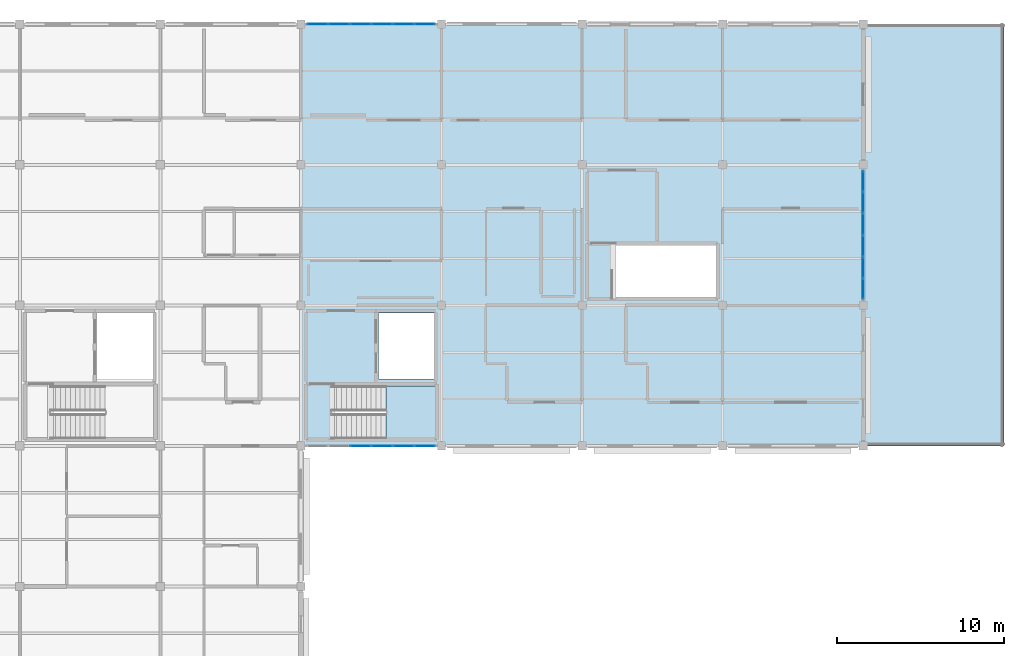
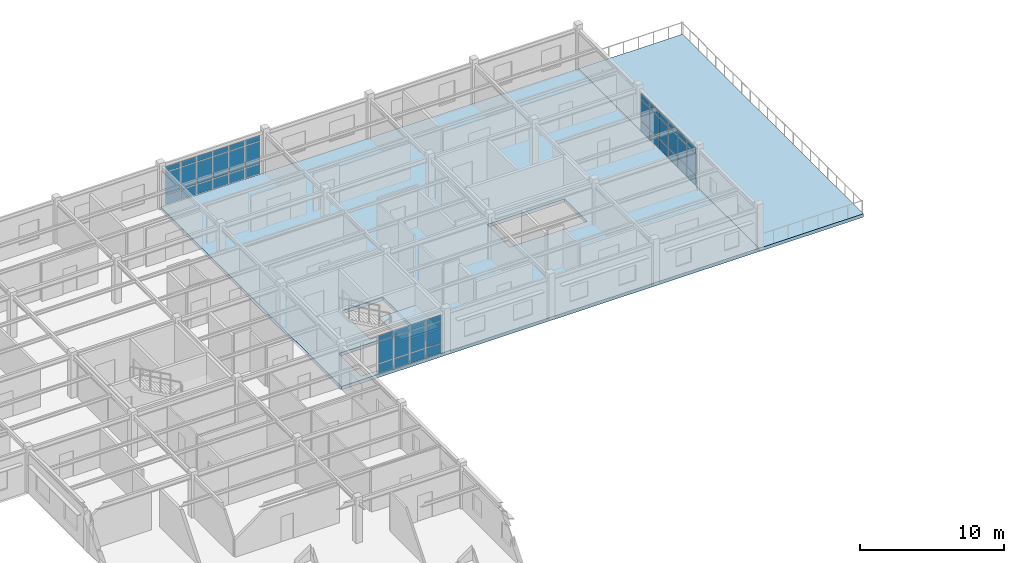
# One storey, part 31 of 53: 48 plates, 3 slabs, 4 elements without a shape of their own.
"""IFC4 building model written with IfcOpenShell, lengths in metres."""

from ifc_helpers import new_model, si_unit, direction, frame, origin, origin_2d, place, context, subcontext, project, spatial, polyline, rectangle, outline, extrude, material, layer, layer_set, type_object, element, aggregate, save


model = new_model("IFC4")

# Units and contexts
model_context = context("Model", 3, precision=1e-05, world=origin(), true_north=direction((0.0, 1.0)))
body_context = subcontext(model_context, "Body", "Model", "MODEL_VIEW")
ifc_project = project(units=[si_unit("LENGTHUNIT", "METRE"), si_unit("AREAUNIT", "SQUARE_METRE"), si_unit("VOLUMEUNIT", "CUBIC_METRE"), si_unit("PLANEANGLEUNIT", "RADIAN"), si_unit("MASSUNIT", "GRAM", prefix="KILO")], contexts=[model_context])

# Site, building, storey
site_placement = place(None, origin())
site = spatial("IfcSite", under=ifc_project, at=site_placement, CompositionType="ELEMENT")
building_placement = place(site_placement, origin())
building = spatial("IfcBuilding", under=site, at=building_placement, Name="Bramfleet General Hospital", CompositionType="ELEMENT")
storey_placement = place(building_placement, frame((0.0, 0.0, 26.39990234375)))
storey = spatial("IfcBuildingStorey", under=building, at=storey_placement, Name="L06", CompositionType="ELEMENT", Elevation=26.39990234375)

# Curtain wall, plates
ifc_material_1 = material(Name="Anodised aluminium and low-E triple glazing", Category="aluminium")
ifc_layer_1 = layer(ifc_material_1, 0.179931640625, Name="CWT-CW-01")
ifc_layer_set_1 = layer_set([ifc_layer_1], Name="Anodised aluminium and low-E triple glazing")
curtain_wall_type_1 = type_object("IfcCurtainWallType", Name="CWT-CW-01", PredefinedType="USERDEFINED", material=ifc_layer_set_1)
curtain_wall_1_placement = place(storey_placement, origin())
curtain_wall_1 = element("IfcCurtainWall", 1, at=curtain_wall_1_placement, inside=storey, type_object=curtain_wall_type_1, Name="L06 Curtain Wall 217", ObjectType="Unitised curtain wall", PredefinedType="USERDEFINED")
ifc_material_2 = material(Name="Low-E laminated safety glass", Category="glass")
ifc_layer_2 = layer(ifc_material_2, 0.028076171875, Name="CWP-GLZ-1")
ifc_layer_set_2 = layer_set([ifc_layer_2], Name="Low-E laminated safety glass")
plate_type_1 = type_object("IfcPlateType", Name="CWP-GLZ-1", PredefinedType="CURTAIN_PANEL", material=ifc_layer_set_2)
plate_1_placement = place(storey_placement, frame((125.01171875, 92.39990234375, 0.06494140625), z_axis=(0.0, 0.0, 1.0), x_axis=(-1.0, 0.0, 0.0)))
plate_1 = element("IfcPlate", 2, at=plate_1_placement, type_object=plate_type_1, Name="CW-01 panel 1.1", PredefinedType="CURTAIN_PANEL", context=body_context, shape_type="SweptSolid", body=[
    extrude(rectangle(XDim=1.186767578125, YDim=0.028076171875, at=origin_2d()), origin(), (0.0, 0.0, 1.0), 0.802490234375),
])
plate_2_placement = place(storey_placement, frame((125.01171875, 92.39990234375, 0.9326171875), z_axis=(0.0, 0.0, 1.0), x_axis=(-1.0, 0.0, 0.0)))
plate_2 = element("IfcPlate", 3, at=plate_2_placement, type_object=plate_type_1, Name="CW-01 panel 1.2", PredefinedType="CURTAIN_PANEL", context=body_context, shape_type="SweptSolid", body=[
    extrude(rectangle(XDim=1.186767578125, YDim=0.028076171875, at=origin_2d()), origin(), (0.0, 0.0, 1.0), 1.844970703125),
])
plate_3_placement = place(storey_placement, frame((125.01171875, 92.39990234375, 2.8427734375), z_axis=(0.0, 0.0, 1.0), x_axis=(-1.0, 0.0, 0.0)))
plate_3 = element("IfcPlate", 4, at=plate_3_placement, type_object=plate_type_1, Name="CW-01 panel 1.3", PredefinedType="CURTAIN_PANEL", context=body_context, shape_type="SweptSolid", body=[
    extrude(rectangle(XDim=1.186767578125, YDim=0.028076171875, at=origin_2d()), origin(), (0.0, 0.0, 1.0), 0.452392578125),
])
plate_4_placement = place(storey_placement, frame((123.737548828125, 92.39990234375, 0.06494140625), z_axis=(0.0, 0.0, 1.0), x_axis=(-1.0, 0.0, 0.0)))
plate_4 = element("IfcPlate", 5, at=plate_4_placement, type_object=plate_type_1, Name="CW-01 panel 2.1", PredefinedType="CURTAIN_PANEL", context=body_context, shape_type="SweptSolid", body=[
    extrude(rectangle(XDim=1.2216796875, YDim=0.028076171875, at=origin_2d()), origin(), (0.0, 0.0, 1.0), 0.802490234375),
])
plate_5_placement = place(storey_placement, frame((123.737548828125, 92.39990234375, 0.9326171875), z_axis=(0.0, 0.0, 1.0), x_axis=(-1.0, 0.0, 0.0)))
plate_5 = element("IfcPlate", 6, at=plate_5_placement, type_object=plate_type_1, Name="CW-01 panel 2.2", PredefinedType="CURTAIN_PANEL", context=body_context, shape_type="SweptSolid", body=[
    extrude(rectangle(XDim=1.2216796875, YDim=0.028076171875, at=origin_2d()), origin(), (0.0, 0.0, 1.0), 1.844970703125),
])
plate_6_placement = place(storey_placement, frame((123.737548828125, 92.39990234375, 2.8427734375), z_axis=(0.0, 0.0, 1.0), x_axis=(-1.0, 0.0, 0.0)))
plate_6 = element("IfcPlate", 7, at=plate_6_placement, type_object=plate_type_1, Name="CW-01 panel 2.3", PredefinedType="CURTAIN_PANEL", context=body_context, shape_type="SweptSolid", body=[
    extrude(rectangle(XDim=1.2216796875, YDim=0.028076171875, at=origin_2d()), origin(), (0.0, 0.0, 1.0), 0.452392578125),
])
plate_7_placement = place(storey_placement, frame((122.44580078125, 92.39990234375, 0.06494140625), z_axis=(0.0, 0.0, 1.0), x_axis=(-1.0, 0.0, 0.0)))
plate_7 = element("IfcPlate", 8, at=plate_7_placement, type_object=plate_type_1, Name="CW-01 panel 3.1", PredefinedType="CURTAIN_PANEL", context=body_context, shape_type="SweptSolid", body=[
    extrude(rectangle(XDim=1.2216796875, YDim=0.028076171875, at=origin_2d()), origin(), (0.0, 0.0, 1.0), 0.802490234375),
])
plate_8_placement = place(storey_placement, frame((122.44580078125, 92.39990234375, 0.9326171875), z_axis=(0.0, 0.0, 1.0), x_axis=(-1.0, 0.0, 0.0)))
plate_8 = element("IfcPlate", 9, at=plate_8_placement, type_object=plate_type_1, Name="CW-01 panel 3.2", PredefinedType="CURTAIN_PANEL", context=body_context, shape_type="SweptSolid", body=[
    extrude(rectangle(XDim=1.2216796875, YDim=0.028076171875, at=origin_2d()), origin(), (0.0, 0.0, 1.0), 1.844970703125),
])
plate_9_placement = place(storey_placement, frame((122.44580078125, 92.39990234375, 2.8427734375), z_axis=(0.0, 0.0, 1.0), x_axis=(-1.0, 0.0, 0.0)))
plate_9 = element("IfcPlate", 10, at=plate_9_placement, type_object=plate_type_1, Name="CW-01 panel 3.3", PredefinedType="CURTAIN_PANEL", context=body_context, shape_type="SweptSolid", body=[
    extrude(rectangle(XDim=1.2216796875, YDim=0.028076171875, at=origin_2d()), origin(), (0.0, 0.0, 1.0), 0.452392578125),
])
plate_10_placement = place(storey_placement, frame((121.154052734375, 92.39990234375, 0.06494140625), z_axis=(0.0, 0.0, 1.0), x_axis=(-1.0, 0.0, 0.0)))
plate_10 = element("IfcPlate", 11, at=plate_10_placement, type_object=plate_type_1, Name="CW-01 panel 4.1", PredefinedType="CURTAIN_PANEL", context=body_context, shape_type="SweptSolid", body=[
    extrude(rectangle(XDim=1.2216796875, YDim=0.028076171875, at=origin_2d()), origin(), (0.0, 0.0, 1.0), 0.802490234375),
])
plate_11_placement = place(storey_placement, frame((121.154052734375, 92.39990234375, 0.9326171875), z_axis=(0.0, 0.0, 1.0), x_axis=(-1.0, 0.0, 0.0)))
plate_11 = element("IfcPlate", 12, at=plate_11_placement, type_object=plate_type_1, Name="CW-01 panel 4.2", PredefinedType="CURTAIN_PANEL", context=body_context, shape_type="SweptSolid", body=[
    extrude(rectangle(XDim=1.2216796875, YDim=0.028076171875, at=origin_2d()), origin(), (0.0, 0.0, 1.0), 1.844970703125),
])
plate_12_placement = place(storey_placement, frame((121.154052734375, 92.39990234375, 2.8427734375), z_axis=(0.0, 0.0, 1.0), x_axis=(-1.0, 0.0, 0.0)))
plate_12 = element("IfcPlate", 13, at=plate_12_placement, type_object=plate_type_1, Name="CW-01 panel 4.3", PredefinedType="CURTAIN_PANEL", context=body_context, shape_type="SweptSolid", body=[
    extrude(rectangle(XDim=1.2216796875, YDim=0.028076171875, at=origin_2d()), origin(), (0.0, 0.0, 1.0), 0.452392578125),
])
aggregate(curtain_wall_1, [plate_1, plate_2, plate_3, plate_4, plate_5, plate_6, plate_7, plate_8, plate_9, plate_10, plate_11, plate_12])

ifc_layer_3 = layer(ifc_material_1, 0.179931640625, Name="CWT-CW-17")
ifc_layer_set_3 = layer_set([ifc_layer_3], Name="Anodised aluminium and low-E triple glazing")
curtain_wall_type_2 = type_object("IfcCurtainWallType", Name="CWT-CW-17", PredefinedType="USERDEFINED", material=ifc_layer_set_3)
curtain_wall_2_placement = place(storey_placement, origin())
curtain_wall_2 = element("IfcCurtainWall", 14, at=curtain_wall_2_placement, inside=storey, type_object=curtain_wall_type_2, Name="L06 Curtain Wall 215", ObjectType="Stick curtain wall", PredefinedType="USERDEFINED")
ifc_layer_4 = layer(ifc_material_2, 0.035888671875, Name="CWP-GLZ-3")
ifc_layer_set_4 = layer_set([ifc_layer_4], Name="Low-E laminated safety glass")
plate_type_2 = type_object("IfcPlateType", Name="CWP-GLZ-3", PredefinedType="CURTAIN_PANEL", material=ifc_layer_set_4)
plate_13_placement = place(storey_placement, frame((118.58837890625, 117.60009765625, 0.06494140625), z_axis=(0.0, 0.0, 1.0), x_axis=(1.0, 0.0, 0.0)))
plate_13 = element("IfcPlate", 15, at=plate_13_placement, type_object=plate_type_2, Name="CW-17 panel 1.1", PredefinedType="CURTAIN_PANEL", context=body_context, shape_type="SweptSolid", body=[
    extrude(rectangle(XDim=1.186767578125, YDim=0.035888671875, at=origin_2d()), origin(), (0.0, 0.0, 1.0), 0.802490234375),
])
plate_14_placement = place(storey_placement, frame((118.58837890625, 117.60009765625, 0.9326171875), z_axis=(0.0, 0.0, 1.0), x_axis=(1.0, 0.0, 0.0)))
plate_14 = element("IfcPlate", 16, at=plate_14_placement, type_object=plate_type_2, Name="CW-17 panel 1.2", PredefinedType="CURTAIN_PANEL", context=body_context, shape_type="SweptSolid", body=[
    extrude(rectangle(XDim=1.186767578125, YDim=0.035888671875, at=origin_2d()), origin(), (0.0, 0.0, 1.0), 1.844970703125),
])
plate_15_placement = place(storey_placement, frame((118.58837890625, 117.60009765625, 2.8427734375), z_axis=(0.0, 0.0, 1.0), x_axis=(1.0, 0.0, 0.0)))
plate_15 = element("IfcPlate", 17, at=plate_15_placement, type_object=plate_type_2, Name="CW-17 panel 1.3", PredefinedType="CURTAIN_PANEL", context=body_context, shape_type="SweptSolid", body=[
    extrude(rectangle(XDim=1.186767578125, YDim=0.035888671875, at=origin_2d()), origin(), (0.0, 0.0, 1.0), 0.452392578125),
])
plate_16_placement = place(storey_placement, frame((119.862548828125, 117.60009765625, 0.06494140625), z_axis=(0.0, 0.0, 1.0), x_axis=(1.0, 0.0, 0.0)))
plate_16 = element("IfcPlate", 18, at=plate_16_placement, type_object=plate_type_2, Name="CW-17 panel 2.1", PredefinedType="CURTAIN_PANEL", context=body_context, shape_type="SweptSolid", body=[
    extrude(rectangle(XDim=1.2216796875, YDim=0.035888671875, at=origin_2d()), origin(), (0.0, 0.0, 1.0), 0.802490234375),
])
plate_17_placement = place(storey_placement, frame((119.862548828125, 117.60009765625, 0.9326171875), z_axis=(0.0, 0.0, 1.0), x_axis=(1.0, 0.0, 0.0)))
plate_17 = element("IfcPlate", 19, at=plate_17_placement, type_object=plate_type_2, Name="CW-17 panel 2.2", PredefinedType="CURTAIN_PANEL", context=body_context, shape_type="SweptSolid", body=[
    extrude(rectangle(XDim=1.2216796875, YDim=0.035888671875, at=origin_2d()), origin(), (0.0, 0.0, 1.0), 1.844970703125),
])
plate_18_placement = place(storey_placement, frame((119.862548828125, 117.60009765625, 2.8427734375), z_axis=(0.0, 0.0, 1.0), x_axis=(1.0, 0.0, 0.0)))
plate_18 = element("IfcPlate", 20, at=plate_18_placement, type_object=plate_type_2, Name="CW-17 panel 2.3", PredefinedType="CURTAIN_PANEL", context=body_context, shape_type="SweptSolid", body=[
    extrude(rectangle(XDim=1.2216796875, YDim=0.035888671875, at=origin_2d()), origin(), (0.0, 0.0, 1.0), 0.452392578125),
])
plate_19_placement = place(storey_placement, frame((121.154052734375, 117.60009765625, 0.06494140625), z_axis=(0.0, 0.0, 1.0), x_axis=(1.0, 0.0, 0.0)))
plate_19 = element("IfcPlate", 21, at=plate_19_placement, type_object=plate_type_2, Name="CW-17 panel 3.1", PredefinedType="CURTAIN_PANEL", context=body_context, shape_type="SweptSolid", body=[
    extrude(rectangle(XDim=1.2216796875, YDim=0.035888671875, at=origin_2d()), origin(), (0.0, 0.0, 1.0), 0.802490234375),
])
plate_20_placement = place(storey_placement, frame((121.154052734375, 117.60009765625, 0.9326171875), z_axis=(0.0, 0.0, 1.0), x_axis=(1.0, 0.0, 0.0)))
plate_20 = element("IfcPlate", 22, at=plate_20_placement, type_object=plate_type_2, Name="CW-17 panel 3.2", PredefinedType="CURTAIN_PANEL", context=body_context, shape_type="SweptSolid", body=[
    extrude(rectangle(XDim=1.2216796875, YDim=0.035888671875, at=origin_2d()), origin(), (0.0, 0.0, 1.0), 1.844970703125),
])
plate_21_placement = place(storey_placement, frame((121.154052734375, 117.60009765625, 2.8427734375), z_axis=(0.0, 0.0, 1.0), x_axis=(1.0, 0.0, 0.0)))
plate_21 = element("IfcPlate", 23, at=plate_21_placement, type_object=plate_type_2, Name="CW-17 panel 3.3", PredefinedType="CURTAIN_PANEL", context=body_context, shape_type="SweptSolid", body=[
    extrude(rectangle(XDim=1.2216796875, YDim=0.035888671875, at=origin_2d()), origin(), (0.0, 0.0, 1.0), 0.452392578125),
])
plate_22_placement = place(storey_placement, frame((122.44580078125, 117.60009765625, 0.06494140625), z_axis=(0.0, 0.0, 1.0), x_axis=(1.0, 0.0, 0.0)))
plate_22 = element("IfcPlate", 24, at=plate_22_placement, type_object=plate_type_2, Name="CW-17 panel 4.1", PredefinedType="CURTAIN_PANEL", context=body_context, shape_type="SweptSolid", body=[
    extrude(rectangle(XDim=1.2216796875, YDim=0.035888671875, at=origin_2d()), origin(), (0.0, 0.0, 1.0), 0.802490234375),
])
plate_23_placement = place(storey_placement, frame((122.44580078125, 117.60009765625, 0.9326171875), z_axis=(0.0, 0.0, 1.0), x_axis=(1.0, 0.0, 0.0)))
plate_23 = element("IfcPlate", 25, at=plate_23_placement, type_object=plate_type_2, Name="CW-17 panel 4.2", PredefinedType="CURTAIN_PANEL", context=body_context, shape_type="SweptSolid", body=[
    extrude(rectangle(XDim=1.2216796875, YDim=0.035888671875, at=origin_2d()), origin(), (0.0, 0.0, 1.0), 1.844970703125),
])
plate_24_placement = place(storey_placement, frame((122.44580078125, 117.60009765625, 2.8427734375), z_axis=(0.0, 0.0, 1.0), x_axis=(1.0, 0.0, 0.0)))
plate_24 = element("IfcPlate", 26, at=plate_24_placement, type_object=plate_type_2, Name="CW-17 panel 4.3", PredefinedType="CURTAIN_PANEL", context=body_context, shape_type="SweptSolid", body=[
    extrude(rectangle(XDim=1.2216796875, YDim=0.035888671875, at=origin_2d()), origin(), (0.0, 0.0, 1.0), 0.452392578125),
])
plate_25_placement = place(storey_placement, frame((123.737548828125, 117.60009765625, 0.06494140625), z_axis=(0.0, 0.0, 1.0), x_axis=(1.0, 0.0, 0.0)))
plate_25 = element("IfcPlate", 27, at=plate_25_placement, type_object=plate_type_2, Name="CW-17 panel 5.1", PredefinedType="CURTAIN_PANEL", context=body_context, shape_type="SweptSolid", body=[
    extrude(rectangle(XDim=1.2216796875, YDim=0.035888671875, at=origin_2d()), origin(), (0.0, 0.0, 1.0), 0.802490234375),
])
plate_26_placement = place(storey_placement, frame((123.737548828125, 117.60009765625, 0.9326171875), z_axis=(0.0, 0.0, 1.0), x_axis=(1.0, 0.0, 0.0)))
plate_26 = element("IfcPlate", 28, at=plate_26_placement, type_object=plate_type_2, Name="CW-17 panel 5.2", PredefinedType="CURTAIN_PANEL", context=body_context, shape_type="SweptSolid", body=[
    extrude(rectangle(XDim=1.2216796875, YDim=0.035888671875, at=origin_2d()), origin(), (0.0, 0.0, 1.0), 1.844970703125),
])
plate_27_placement = place(storey_placement, frame((123.737548828125, 117.60009765625, 2.8427734375), z_axis=(0.0, 0.0, 1.0), x_axis=(1.0, 0.0, 0.0)))
plate_27 = element("IfcPlate", 29, at=plate_27_placement, type_object=plate_type_2, Name="CW-17 panel 5.3", PredefinedType="CURTAIN_PANEL", context=body_context, shape_type="SweptSolid", body=[
    extrude(rectangle(XDim=1.2216796875, YDim=0.035888671875, at=origin_2d()), origin(), (0.0, 0.0, 1.0), 0.452392578125),
])
plate_28_placement = place(storey_placement, frame((125.01171875, 117.60009765625, 0.06494140625), z_axis=(0.0, 0.0, 1.0), x_axis=(1.0, 0.0, 0.0)))
plate_28 = element("IfcPlate", 30, at=plate_28_placement, type_object=plate_type_2, Name="CW-17 panel 6.1", PredefinedType="CURTAIN_PANEL", context=body_context, shape_type="SweptSolid", body=[
    extrude(rectangle(XDim=1.186767578125, YDim=0.035888671875, at=origin_2d()), origin(), (0.0, 0.0, 1.0), 0.802490234375),
])
plate_29_placement = place(storey_placement, frame((125.01171875, 117.60009765625, 0.9326171875), z_axis=(0.0, 0.0, 1.0), x_axis=(1.0, 0.0, 0.0)))
plate_29 = element("IfcPlate", 31, at=plate_29_placement, type_object=plate_type_2, Name="CW-17 panel 6.2", PredefinedType="CURTAIN_PANEL", context=body_context, shape_type="SweptSolid", body=[
    extrude(rectangle(XDim=1.186767578125, YDim=0.035888671875, at=origin_2d()), origin(), (0.0, 0.0, 1.0), 1.844970703125),
])
plate_30_placement = place(storey_placement, frame((125.01171875, 117.60009765625, 2.8427734375), z_axis=(0.0, 0.0, 1.0), x_axis=(1.0, 0.0, 0.0)))
plate_30 = element("IfcPlate", 32, at=plate_30_placement, type_object=plate_type_2, Name="CW-17 panel 6.3", PredefinedType="CURTAIN_PANEL", context=body_context, shape_type="SweptSolid", body=[
    extrude(rectangle(XDim=1.186767578125, YDim=0.035888671875, at=origin_2d()), origin(), (0.0, 0.0, 1.0), 0.452392578125),
])
aggregate(curtain_wall_2, [plate_13, plate_14, plate_15, plate_16, plate_17, plate_18, plate_19, plate_20, plate_21, plate_22, plate_23, plate_24, plate_25, plate_26, plate_27, plate_28, plate_29, plate_30])

ifc_layer_5 = layer(ifc_material_1, 0.179931640625, Name="CWT-CW-18")
ifc_layer_set_5 = layer_set([ifc_layer_5], Name="Anodised aluminium and low-E triple glazing")
curtain_wall_type_3 = type_object("IfcCurtainWallType", Name="CWT-CW-18", PredefinedType="USERDEFINED", material=ifc_layer_set_5)
curtain_wall_3_placement = place(storey_placement, origin())
curtain_wall_3 = element("IfcCurtainWall", 33, at=curtain_wall_3_placement, inside=storey, type_object=curtain_wall_type_3, Name="L06 Curtain Wall 216", ObjectType="Stick curtain wall", PredefinedType="USERDEFINED")
ifc_layer_6 = layer(ifc_material_2, 0.0419921875, Name="CWP-GLZ-4")
ifc_layer_set_6 = layer_set([ifc_layer_6], Name="Low-E laminated safety glass")
plate_type_3 = type_object("IfcPlateType", Name="CWP-GLZ-4", PredefinedType="CURTAIN_PANEL", material=ifc_layer_set_6)
plate_31_placement = place(storey_placement, frame((151.199951171875, 108.211669921875, 0.06494140625), z_axis=(0.0, 0.0, 1.0), x_axis=(0.0, -1.0, 0.0)))
plate_31 = element("IfcPlate", 34, at=plate_31_placement, type_object=plate_type_3, Name="CW-18 panel 1.1", PredefinedType="CURTAIN_PANEL", context=body_context, shape_type="SweptSolid", body=[
    extrude(rectangle(XDim=1.186767578125, YDim=0.0419921875, at=origin_2d()), origin(), (0.0, 0.0, 1.0), 0.802490234375),
])
plate_32_placement = place(storey_placement, frame((151.199951171875, 108.211669921875, 0.9326171875), z_axis=(0.0, 0.0, 1.0), x_axis=(0.0, -1.0, 0.0)))
plate_32 = element("IfcPlate", 35, at=plate_32_placement, type_object=plate_type_3, Name="CW-18 panel 1.2", PredefinedType="CURTAIN_PANEL", context=body_context, shape_type="SweptSolid", body=[
    extrude(rectangle(XDim=1.186767578125, YDim=0.0419921875, at=origin_2d()), origin(), (0.0, 0.0, 1.0), 1.764892578125),
])
plate_33_placement = place(storey_placement, frame((151.199951171875, 108.211669921875, 2.7626953125), z_axis=(0.0, 0.0, 1.0), x_axis=(0.0, -1.0, 0.0)))
plate_33 = element("IfcPlate", 36, at=plate_33_placement, type_object=plate_type_3, Name="CW-18 panel 1.3", PredefinedType="CURTAIN_PANEL", context=body_context, shape_type="SweptSolid", body=[
    extrude(rectangle(XDim=1.186767578125, YDim=0.0419921875, at=origin_2d()), origin(), (0.0, 0.0, 1.0), 0.452392578125),
])
plate_34_placement = place(storey_placement, frame((151.199951171875, 106.9375, 0.06494140625), z_axis=(0.0, 0.0, 1.0), x_axis=(0.0, -1.0, 0.0)))
plate_34 = element("IfcPlate", 37, at=plate_34_placement, type_object=plate_type_3, Name="CW-18 panel 2.1", PredefinedType="CURTAIN_PANEL", context=body_context, shape_type="SweptSolid", body=[
    extrude(rectangle(XDim=1.2216796875, YDim=0.0419921875, at=origin_2d()), origin(), (0.0, 0.0, 1.0), 0.802490234375),
])
plate_35_placement = place(storey_placement, frame((151.199951171875, 106.9375, 0.9326171875), z_axis=(0.0, 0.0, 1.0), x_axis=(0.0, -1.0, 0.0)))
plate_35 = element("IfcPlate", 38, at=plate_35_placement, type_object=plate_type_3, Name="CW-18 panel 2.2", PredefinedType="CURTAIN_PANEL", context=body_context, shape_type="SweptSolid", body=[
    extrude(rectangle(XDim=1.2216796875, YDim=0.0419921875, at=origin_2d()), origin(), (0.0, 0.0, 1.0), 1.764892578125),
])
plate_36_placement = place(storey_placement, frame((151.199951171875, 106.9375, 2.7626953125), z_axis=(0.0, 0.0, 1.0), x_axis=(0.0, -1.0, 0.0)))
plate_36 = element("IfcPlate", 39, at=plate_36_placement, type_object=plate_type_3, Name="CW-18 panel 2.3", PredefinedType="CURTAIN_PANEL", context=body_context, shape_type="SweptSolid", body=[
    extrude(rectangle(XDim=1.2216796875, YDim=0.0419921875, at=origin_2d()), origin(), (0.0, 0.0, 1.0), 0.452392578125),
])
plate_37_placement = place(storey_placement, frame((151.199951171875, 105.645751953125, 0.06494140625), z_axis=(0.0, 0.0, 1.0), x_axis=(0.0, -1.0, 0.0)))
plate_37 = element("IfcPlate", 40, at=plate_37_placement, type_object=plate_type_3, Name="CW-18 panel 3.1", PredefinedType="CURTAIN_PANEL", context=body_context, shape_type="SweptSolid", body=[
    extrude(rectangle(XDim=1.2216796875, YDim=0.0419921875, at=origin_2d()), origin(), (0.0, 0.0, 1.0), 0.802490234375),
])
plate_38_placement = place(storey_placement, frame((151.199951171875, 105.645751953125, 0.9326171875), z_axis=(0.0, 0.0, 1.0), x_axis=(0.0, -1.0, 0.0)))
plate_38 = element("IfcPlate", 41, at=plate_38_placement, type_object=plate_type_3, Name="CW-18 panel 3.2", PredefinedType="CURTAIN_PANEL", context=body_context, shape_type="SweptSolid", body=[
    extrude(rectangle(XDim=1.2216796875, YDim=0.0419921875, at=origin_2d()), origin(), (0.0, 0.0, 1.0), 1.764892578125),
])
plate_39_placement = place(storey_placement, frame((151.199951171875, 105.645751953125, 2.7626953125), z_axis=(0.0, 0.0, 1.0), x_axis=(0.0, -1.0, 0.0)))
plate_39 = element("IfcPlate", 42, at=plate_39_placement, type_object=plate_type_3, Name="CW-18 panel 3.3", PredefinedType="CURTAIN_PANEL", context=body_context, shape_type="SweptSolid", body=[
    extrude(rectangle(XDim=1.2216796875, YDim=0.0419921875, at=origin_2d()), origin(), (0.0, 0.0, 1.0), 0.452392578125),
])
plate_40_placement = place(storey_placement, frame((151.199951171875, 104.354248046875, 0.06494140625), z_axis=(0.0, 0.0, 1.0), x_axis=(0.0, -1.0, 0.0)))
plate_40 = element("IfcPlate", 43, at=plate_40_placement, type_object=plate_type_3, Name="CW-18 panel 4.1", PredefinedType="CURTAIN_PANEL", context=body_context, shape_type="SweptSolid", body=[
    extrude(rectangle(XDim=1.2216796875, YDim=0.0419921875, at=origin_2d()), origin(), (0.0, 0.0, 1.0), 0.802490234375),
])
plate_41_placement = place(storey_placement, frame((151.199951171875, 104.354248046875, 0.9326171875), z_axis=(0.0, 0.0, 1.0), x_axis=(0.0, -1.0, 0.0)))
plate_41 = element("IfcPlate", 44, at=plate_41_placement, type_object=plate_type_3, Name="CW-18 panel 4.2", PredefinedType="CURTAIN_PANEL", context=body_context, shape_type="SweptSolid", body=[
    extrude(rectangle(XDim=1.2216796875, YDim=0.0419921875, at=origin_2d()), origin(), (0.0, 0.0, 1.0), 1.764892578125),
])
plate_42_placement = place(storey_placement, frame((151.199951171875, 104.354248046875, 2.7626953125), z_axis=(0.0, 0.0, 1.0), x_axis=(0.0, -1.0, 0.0)))
plate_42 = element("IfcPlate", 45, at=plate_42_placement, type_object=plate_type_3, Name="CW-18 panel 4.3", PredefinedType="CURTAIN_PANEL", context=body_context, shape_type="SweptSolid", body=[
    extrude(rectangle(XDim=1.2216796875, YDim=0.0419921875, at=origin_2d()), origin(), (0.0, 0.0, 1.0), 0.452392578125),
])
plate_43_placement = place(storey_placement, frame((151.199951171875, 103.0625, 0.06494140625), z_axis=(0.0, 0.0, 1.0), x_axis=(0.0, -1.0, 0.0)))
plate_43 = element("IfcPlate", 46, at=plate_43_placement, type_object=plate_type_3, Name="CW-18 panel 5.1", PredefinedType="CURTAIN_PANEL", context=body_context, shape_type="SweptSolid", body=[
    extrude(rectangle(XDim=1.2216796875, YDim=0.0419921875, at=origin_2d()), origin(), (0.0, 0.0, 1.0), 0.802490234375),
])
plate_44_placement = place(storey_placement, frame((151.199951171875, 103.0625, 0.9326171875), z_axis=(0.0, 0.0, 1.0), x_axis=(0.0, -1.0, 0.0)))
plate_44 = element("IfcPlate", 47, at=plate_44_placement, type_object=plate_type_3, Name="CW-18 panel 5.2", PredefinedType="CURTAIN_PANEL", context=body_context, shape_type="SweptSolid", body=[
    extrude(rectangle(XDim=1.2216796875, YDim=0.0419921875, at=origin_2d()), origin(), (0.0, 0.0, 1.0), 1.764892578125),
])
plate_45_placement = place(storey_placement, frame((151.199951171875, 103.0625, 2.7626953125), z_axis=(0.0, 0.0, 1.0), x_axis=(0.0, -1.0, 0.0)))
plate_45 = element("IfcPlate", 48, at=plate_45_placement, type_object=plate_type_3, Name="CW-18 panel 5.3", PredefinedType="CURTAIN_PANEL", context=body_context, shape_type="SweptSolid", body=[
    extrude(rectangle(XDim=1.2216796875, YDim=0.0419921875, at=origin_2d()), origin(), (0.0, 0.0, 1.0), 0.452392578125),
])
plate_46_placement = place(storey_placement, frame((151.199951171875, 101.788330078125, 0.06494140625), z_axis=(0.0, 0.0, 1.0), x_axis=(0.0, -1.0, 0.0)))
plate_46 = element("IfcPlate", 49, at=plate_46_placement, type_object=plate_type_3, Name="CW-18 panel 6.1", PredefinedType="CURTAIN_PANEL", context=body_context, shape_type="SweptSolid", body=[
    extrude(rectangle(XDim=1.186767578125, YDim=0.0419921875, at=origin_2d()), origin(), (0.0, 0.0, 1.0), 0.802490234375),
])
plate_47_placement = place(storey_placement, frame((151.199951171875, 101.788330078125, 0.9326171875), z_axis=(0.0, 0.0, 1.0), x_axis=(0.0, -1.0, 0.0)))
plate_47 = element("IfcPlate", 50, at=plate_47_placement, type_object=plate_type_3, Name="CW-18 panel 6.2", PredefinedType="CURTAIN_PANEL", context=body_context, shape_type="SweptSolid", body=[
    extrude(rectangle(XDim=1.186767578125, YDim=0.0419921875, at=origin_2d()), origin(), (0.0, 0.0, 1.0), 1.764892578125),
])
plate_48_placement = place(storey_placement, frame((151.199951171875, 101.788330078125, 2.7626953125), z_axis=(0.0, 0.0, 1.0), x_axis=(0.0, -1.0, 0.0)))
plate_48 = element("IfcPlate", 51, at=plate_48_placement, type_object=plate_type_3, Name="CW-18 panel 6.3", PredefinedType="CURTAIN_PANEL", context=body_context, shape_type="SweptSolid", body=[
    extrude(rectangle(XDim=1.186767578125, YDim=0.0419921875, at=origin_2d()), origin(), (0.0, 0.0, 1.0), 0.452392578125),
])
aggregate(curtain_wall_3, [plate_31, plate_32, plate_33, plate_34, plate_35, plate_36, plate_37, plate_38, plate_39, plate_40, plate_41, plate_42, plate_43, plate_44, plate_45, plate_46, plate_47, plate_48])

# Slab
ifc_material_3 = material(Name="Concrete C35/45", Category="concrete")
ifc_layer_7 = layer(ifc_material_3, 0.280029296875, Name="SL-FLR-280")
ifc_layer_set_7 = layer_set([ifc_layer_7], Name="Concrete C35/45")
slab_type_1 = type_object("IfcSlabType", Name="SL-FLR-280", PredefinedType="FLOOR", material=ifc_layer_set_7)
slab_1_placement = place(storey_placement, frame((0.0, 0.0, -0.27978515625)))
element("IfcSlab", 52, at=slab_1_placement, inside=storey, type_object=slab_type_1, Name="L06 Structural Floor Slab (EAST)", PredefinedType="FLOOR", context=body_context, shape_type="SweptSolid", body=[
    extrude(outline(polyline([(126.0, 117.60009765625), (134.39990234375, 117.60009765625), (142.800048828125, 117.60009765625), (151.199951171875, 117.60009765625), (151.199951171875, 109.199951171875), (151.199951171875, 100.800048828125), (151.199951171875, 92.39990234375), (142.800048828125, 92.39990234375), (134.39990234375, 92.39990234375), (126.0, 92.39990234375), (117.60009765625, 92.39990234375), (117.60009765625, 117.60009765625), (126.0, 117.60009765625)]), holes=[polyline([(119.43994140625, 92.820068359375), (125.659912109375, 92.820068359375), (125.659912109375, 95.97998046875), (119.43994140625, 95.97998046875), (119.43994140625, 92.820068359375)]), polyline([(122.219970703125, 96.39990234375), (125.550048828125, 96.39990234375), (125.550048828125, 100.35009765625), (122.219970703125, 100.35009765625), (122.219970703125, 96.39990234375)]), polyline([(136.239990234375, 101.219970703125), (142.4599609375, 101.219970703125), (142.4599609375, 104.3798828125), (136.239990234375, 104.3798828125), (136.239990234375, 101.219970703125)])]), origin(), (0.0, 0.0, 1.0), 0.27978515625),
])

# Stair, slab
stair_type = type_object("IfcStairType", Name="STR-T4", PredefinedType="HALF_TURN_STAIR", material=ifc_material_3)
stair_placement = place(storey_placement, origin())
stair = element("IfcStair", 53, at=stair_placement, inside=storey, type_object=stair_type, Name="L06 Core C6 (North-East Ward & Helipad) Protected Escape Stair", PredefinedType="HALF_TURN_STAIR")
ifc_layer_8 = layer(ifc_material_3, 0.199951171875, Name="SL-LND-200")
ifc_layer_set_8 = layer_set([ifc_layer_8], Name="Concrete C35/45")
slab_type_2 = type_object("IfcSlabType", Name="SL-LND-200", PredefinedType="LANDING", material=ifc_layer_set_8)
slab_2_placement = place(storey_placement, frame((0.0, 0.0, 1.75)))
slab_2 = element("IfcSlab", 54, at=slab_2_placement, type_object=slab_type_2, Name="ST-C6 landing 1", PredefinedType="LANDING", context=body_context, shape_type="SweptSolid", body=[
    extrude(outline(polyline([(122.68505859375, 92.820068359375), (125.659912109375, 92.820068359375), (125.659912109375, 95.97998046875), (122.68505859375, 95.97998046875), (122.68505859375, 92.820068359375)])), origin(), (0.0, 0.0, 1.0), 0.2001953125),
])
aggregate(stair, [slab_2])

# Slab
ifc_layer_9 = layer(ifc_material_3, 0.2900390625, Name="SL-TER-290")
ifc_layer_set_9 = layer_set([ifc_layer_9], Name="Concrete C35/45")
slab_type_3 = type_object("IfcSlabType", Name="SL-TER-290", PredefinedType="FLOOR", material=ifc_layer_set_9)
slab_3_placement = place(storey_placement, frame((0.0, 0.0, -0.289794921875)))
element("IfcSlab", 55, at=slab_3_placement, inside=storey, type_object=slab_type_3, Name="L06 Setback Ward Terrace 2", PredefinedType="FLOOR", context=body_context, shape_type="SweptSolid", body=[
    extrude(outline(polyline([(159.60009765625, 117.60009765625), (159.60009765625, 109.199951171875), (159.60009765625, 100.800048828125), (159.60009765625, 92.39990234375), (151.199951171875, 92.39990234375), (151.199951171875, 100.800048828125), (151.199951171875, 109.199951171875), (151.199951171875, 117.60009765625), (159.60009765625, 117.60009765625)])), origin(), (0.0, 0.0, 1.0), 0.289794921875),
])

save(model, "model.ifc")
